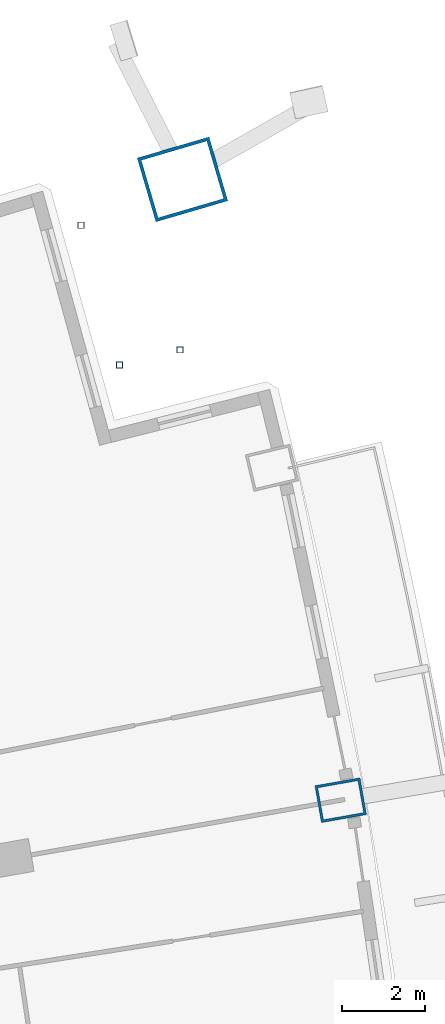
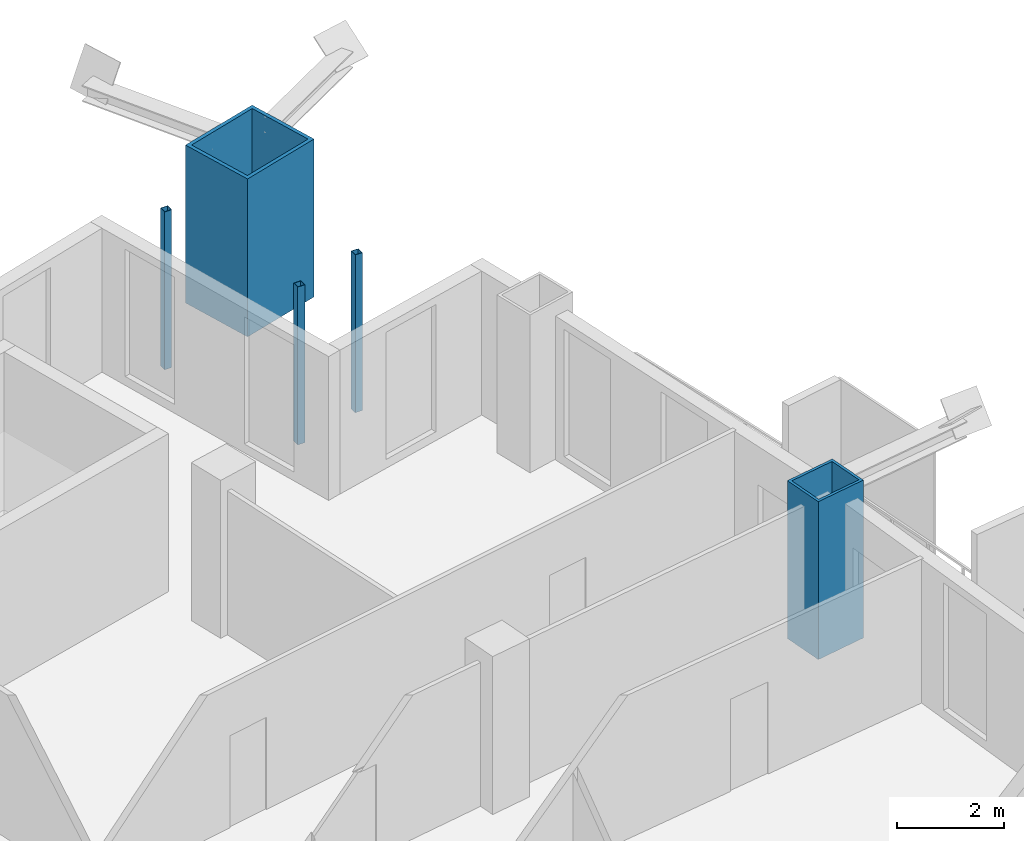
# One storey, part 9 of 22: 5 columns.
"""IFC4 building model written with IfcOpenShell, lengths in metres."""

from ifc_helpers import new_model, si_unit, direction, frame, origin, origin_2d, place, context, subcontext, project, spatial, hollow_rectangle, extrude, material, material_profile, profile_set, type_object, element, save


model = new_model("IFC4")

# Units and contexts
model_context = context("Model", 3, precision=1e-05, world=origin(), true_north=direction((0.0, 1.0)))
body_context = subcontext(model_context, "Body", "Model", "MODEL_VIEW")
ifc_project = project(units=[si_unit("LENGTHUNIT", "METRE"), si_unit("AREAUNIT", "SQUARE_METRE"), si_unit("VOLUMEUNIT", "CUBIC_METRE"), si_unit("PLANEANGLEUNIT", "RADIAN"), si_unit("MASSUNIT", "GRAM", prefix="KILO")], contexts=[model_context])

# Site, building, storey
site_placement = place(None, origin())
site = spatial("IfcSite", under=ifc_project, at=site_placement, CompositionType="ELEMENT")
building_placement = place(site_placement, origin())
building = spatial("IfcBuilding", under=site, at=building_placement, Name="Alderwake Tower", CompositionType="ELEMENT")
storey_placement = place(building_placement, frame((0.0, 0.0, 156.800048828125)))
storey = spatial("IfcBuildingStorey", under=building, at=storey_placement, Name="L38", CompositionType="ELEMENT", Elevation=156.800048828125)

# Columns
ifc_material_1 = material(Name="Steel ASTM A500 Grade C", Category="steel")
ifc_material_profile_1 = material_profile(ifc_material_1, hollow_rectangle(XDim=0.15234375, YDim=0.15234375, WallThickness=0.0087890625, at=origin_2d()), Name="HSS6X6X3/8")
ifc_profile_set_1 = profile_set([ifc_material_profile_1], Name="Steel ASTM A500 Grade C")
column_type_1 = type_object("IfcColumnType", Name="Light post HSS6X6X3/8", PredefinedType="COLUMN", material=ifc_profile_set_1)
for number, where, z_axis, x_axis, name in (
    (1, (53.807861328125, 96.159423828125, 0.0), (0.0, 0.0, 1.0), (1.0, 0.0, 0.0), "Terrace post FN1"),
    (2, (51.42431640625, 99.152099609375, 0.0), (0.0, 0.0, 1.0), (1.0, 0.0, 0.0), "Terrace post FN2"),
    (3, (52.353759765625, 95.791259765625, 0.0), (0.0, 0.0, 1.0), (1.0, 0.0, 0.0), "Terrace post FN3"),
):
    element("IfcColumn", number, at=place(storey_placement, frame(where, z_axis=z_axis, x_axis=x_axis)), inside=storey, type_object=column_type_1, Name=name, PredefinedType="COLUMN", context=body_context, shape_type="SweptSolid", body=[
        extrude(hollow_rectangle(XDim=0.15234375, YDim=0.15234375, WallThickness=0.0087890625, at=origin_2d()), origin(), (0.0, 0.0, 1.0), 3.599853515625),
    ])
ifc_material_2 = material(Name="Steel ASTM A572 Grade 50 concrete filled C70/85", Category="concrete")
ifc_material_profile_2 = material_profile(ifc_material_2, hollow_rectangle(XDim=1.60009765625, YDim=1.800048828125, WallThickness=0.080078125, at=origin_2d()), Name="BOX 1800X1600X80")
ifc_profile_set_2 = profile_set([ifc_material_profile_2], Name="Steel ASTM A572 Grade 50 concrete filled C70/85")
column_type_2 = type_object("IfcColumnType", Name="Mega column Z3", PredefinedType="COLUMN", material=ifc_profile_set_2)
column_1_placement = place(storey_placement, frame((53.86376953125, 100.252197265625, 0.0), z_axis=(0.0, 0.0, 1.0), x_axis=(-0.281376906736, 0.959597330319, 0.0)))
element("IfcColumn", 4, at=column_1_placement, inside=storey, type_object=column_type_2, Name="Column R12-C5", PredefinedType="COLUMN", context=body_context, shape_type="SweptSolid", body=[
    extrude(hollow_rectangle(XDim=1.60009765625, YDim=1.800048828125, WallThickness=0.080078125, at=origin_2d()), origin(), (0.0, 0.0, 1.0), 3.599853515625),
])
ifc_material_3 = material(Name="Steel ASTM A572 Grade 50 concrete filled C70/85", Category="concrete")
ifc_material_profile_3 = material_profile(ifc_material_3, hollow_rectangle(XDim=0.89990234375, YDim=1.10009765625, WallThickness=0.06005859375, at=origin_2d()), Name="BOX 1100X900X60")
ifc_profile_set_3 = profile_set([ifc_material_profile_3], Name="Steel ASTM A572 Grade 50 concrete filled C70/85")
column_type_3 = type_object("IfcColumnType", Name="Perimeter column Z3", PredefinedType="COLUMN", material=ifc_profile_set_3)
column_2_placement = place(storey_placement, frame((57.664794921875, 85.34033203125, 0.0), z_axis=(0.0, 0.0, 1.0), x_axis=(-0.174108800747, 0.984726421654, 0.0)))
element("IfcColumn", 5, at=column_2_placement, inside=storey, type_object=column_type_3, Name="Column R10-C5", PredefinedType="COLUMN", context=body_context, shape_type="SweptSolid", body=[
    extrude(hollow_rectangle(XDim=0.89990234375, YDim=1.10009765625, WallThickness=0.06005859375, at=origin_2d()), origin(), (0.0, 0.0, 1.0), 3.599853515625),
])

save(model, "model.ifc")
